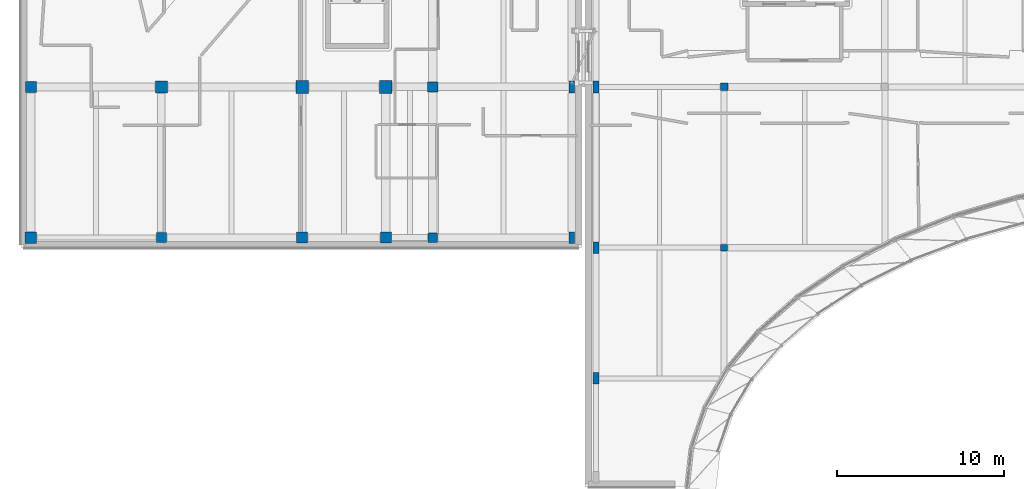
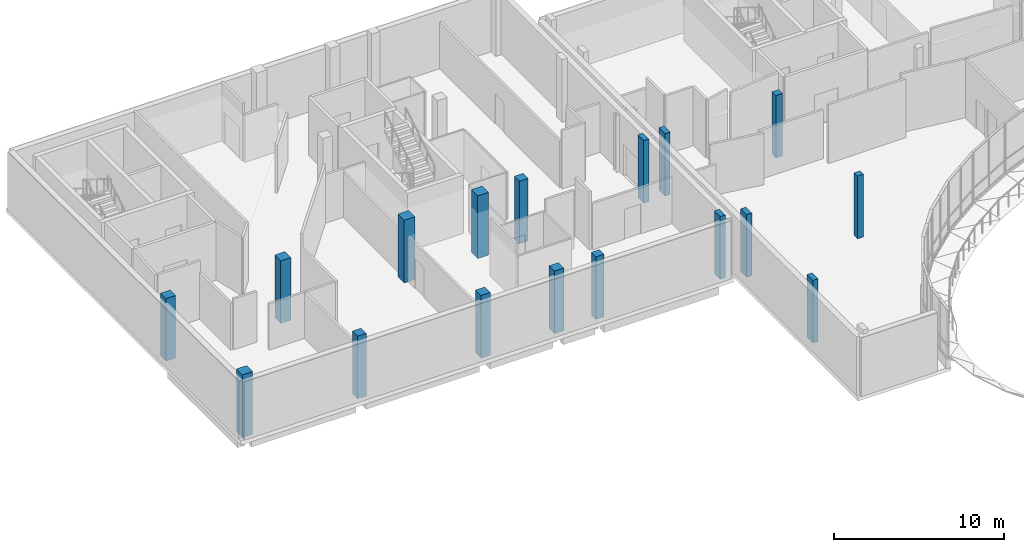
# One storey, part 2 of 41: 17 columns.
"""IFC4 building model written with IfcOpenShell, lengths in metres."""

import ifcopenshell
import ifcopenshell.guid

model = None  # the IFC model being written
_history = None  # IfcOwnerHistory: only IFC2X3 demands one
_inside = {}  # id of a spatial element -> (the spatial element, [elements in it])
_under = {}  # id of a project, library or spatial element -> (it, [spatial elements below it])
_declared = {}  # id of a project -> (the project, [libraries it declares])
_typed = {}  # id of a type object -> (the type object, [elements of that type])
_made_of = {}  # id of a material, layer set ... -> (it, [elements and type objects made of it])


def new_model(schema):
    """Start an empty IFC model of exactly this schema.

    Asked for "IFC4X3", IfcOpenShell would pick the latest addendum, in which some entities
    have other attributes; the version numbers below select the first issue.
    IFC2X3 requires an IfcOwnerHistory on every rooted entity: one is made here for all.
    """
    global model, _history
    if schema == "IFC4X3":
        model = ifcopenshell.file(schema_version=(4, 3, 0, 0))
    else:
        model = ifcopenshell.file(schema=schema)
    _inside.clear()
    _under.clear()
    _declared.clear()
    _typed.clear()
    _made_of.clear()
    _history = None
    if model.schema == "IFC2X3":
        org = make("IfcOrganization", Name="unknown")
        user = make(
            "IfcPersonAndOrganization",
            ThePerson=make("IfcPerson", FamilyName="unknown"),
            TheOrganization=org,
        )
        app = make(
            "IfcApplication",
            ApplicationDeveloper=org,
            Version="unknown",
            ApplicationFullName="unknown",
            ApplicationIdentifier="unknown",
        )
        _history = make(
            "IfcOwnerHistory",
            OwningUser=user,
            OwningApplication=app,
            ChangeAction="ADDED",
            CreationDate=0,
        )
    return model


def make(cls, **values):
    """One entity of the class cls with the attributes given. An attribute that is None is left unset."""
    return model.create_entity(
        cls, **{name: value for name, value in values.items() if value is not None}
    )


def rooted(cls, **values):
    """An entity with a GlobalId (a new one), such as an element, a storey or a relation."""
    return make(cls, GlobalId=ifcopenshell.guid.new(), OwnerHistory=_history, **values)


def si_unit(unit_type, name, prefix=None):
    """IfcSIUnit, for example si_unit("LENGTHUNIT", "METRE", prefix="MILLI")."""
    return make("IfcSIUnit", UnitType=unit_type, Prefix=prefix, Name=name)


def assignment(units):
    """IfcUnitAssignment: the units of a project."""
    return None if units is None else make("IfcUnitAssignment", Units=units)


def point(xyz):
    """IfcCartesianPoint."""
    return None if xyz is None else make("IfcCartesianPoint", Coordinates=xyz)


def direction(xyz):
    """IfcDirection."""
    return None if xyz is None else make("IfcDirection", DirectionRatios=xyz)


def frame(location, z_axis=None, x_axis=None):
    """IfcAxis2Placement3D, a coordinate frame: its origin and axes. An axis left out is left unset."""
    return make(
        "IfcAxis2Placement3D",
        Location=point(location),
        Axis=direction(z_axis),
        RefDirection=direction(x_axis),
    )


def frame_2d(location, x_axis=None):
    """IfcAxis2Placement2D, a coordinate frame in the plane: its origin and x axis."""
    return make(
        "IfcAxis2Placement2D", Location=point(location), RefDirection=direction(x_axis)
    )


def origin():
    """The frame at (0, 0, 0) with its axes left unset."""
    return frame((0.0, 0.0, 0.0))


def origin_2d():
    """The frame at (0, 0) in the plane with its x axis left unset."""
    return frame_2d((0.0, 0.0))


def place(relative_to, where):
    """IfcLocalPlacement: puts the frame where relative to a parent placement (None: the world)."""
    return make(
        "IfcLocalPlacement", PlacementRelTo=relative_to, RelativePlacement=where
    )


def context(
    kind, dimensions, precision=None, world=None, true_north=None, identifier=None
):
    """IfcGeometricRepresentationContext, for example the 3D "Model" context."""
    return make(
        "IfcGeometricRepresentationContext",
        ContextIdentifier=identifier,
        ContextType=kind,
        CoordinateSpaceDimension=dimensions,
        Precision=precision,
        WorldCoordinateSystem=world,
        TrueNorth=true_north,
    )


def subcontext(parent, identifier, kind, view, scale=None):
    """IfcGeometricRepresentationSubContext, for example "Body" below "Model"."""
    return make(
        "IfcGeometricRepresentationSubContext",
        ContextIdentifier=identifier,
        ContextType=kind,
        ParentContext=parent,
        TargetScale=scale,
        TargetView=view,
    )


def project(units=None, contexts=None):
    """IfcProject with its units and contexts."""
    return rooted(
        "IfcProject",
        Name="project",
        RepresentationContexts=contexts,
        UnitsInContext=assignment(units),
    )


def spatial(cls, under=None, at=None, **own):
    """A site, building, storey or space (cls), placed at a placement, below another one or the project."""
    s = rooted(cls, ObjectPlacement=at, **own)
    if under is not None:
        _under.setdefault(under.id(), (under, []))[1].append(s)
    return s


def profile(cls, at=None, kind="AREA", **sizes):
    """A parametric profile (cls). Its sizes go by their IFC names, for example OverallWidth=200.0."""
    return make(cls, ProfileType=kind, Position=at, **sizes)


def rectangle(**sizes):
    """IfcRectangleProfileDef."""
    return profile("IfcRectangleProfileDef", **sizes)


def extrude(swept, where, along, depth):
    """IfcExtrudedAreaSolid: the profile swept, set in the frame where, extruded along a direction by depth."""
    return make(
        "IfcExtrudedAreaSolid",
        SweptArea=swept,
        Position=where,
        ExtrudedDirection=direction(along),
        Depth=depth,
    )


def shape(context_of_items, identifier, shape_type, items):
    """IfcShapeRepresentation: the items that make up one representation, for example the "Body"."""
    return make(
        "IfcShapeRepresentation",
        ContextOfItems=context_of_items,
        RepresentationIdentifier=identifier,
        RepresentationType=shape_type,
        Items=items,
    )


def material(Name=None, Category=None):
    """IfcMaterial."""
    return make("IfcMaterial", Name=Name, Category=Category)


def material_profile(
    of_material, cross_section, Name=None, Category=None, Priority=None
):
    """IfcMaterialProfile: a cross section and its material."""
    return make(
        "IfcMaterialProfile",
        Name=Name,
        Material=of_material,
        Profile=cross_section,
        Priority=Priority,
        Category=Category,
    )


def profile_set(profiles, Name=None, composite=None):
    """IfcMaterialProfileSet."""
    return make(
        "IfcMaterialProfileSet",
        Name=Name,
        MaterialProfiles=profiles,
        CompositeProfile=composite,
    )


def made_of(thing, what):
    """Note that an element or type object is made of a material, layer set ...; save() writes the relation."""
    if what is not None:
        _made_of.setdefault(what.id(), (what, []))[1].append(thing)
    return thing


def type_object(cls, material=None, **own):
    """A type object (cls), such as IfcWallType, which elements share."""
    return made_of(rooted(cls, **own), material)


def element(
    cls,
    number,
    at=None,
    inside=None,
    cuts=None,
    type_object=None,
    material=None,
    context=None,
    identifier="Body",
    shape_type=None,
    held_by="IfcProductDefinitionShape",
    body=None,
    shapes=None,
    **own,
):
    """One element of the class cls, such as IfcWall. Its Tag is "e" and its number.

    at: its placement. inside: the storey or other place that contains it. cuts: it is an
    opening in that element (IfcRelVoidsElement). A single representation is given by context,
    identifier, shape_type and body (its items); several are given by shapes. held_by: the class
    of the entity that holds the representations. save() writes the other relations.
    """
    e = rooted(cls, Tag="e%d" % number, ObjectPlacement=at, **own)
    if body is not None:
        shapes = [shape(context, identifier, shape_type, body)]
    if shapes is not None:
        e.Representation = make(held_by, Representations=shapes)
    if inside is not None:
        _inside.setdefault(inside.id(), (inside, []))[1].append(e)
    if cuts is not None:
        rooted(
            "IfcRelVoidsElement", RelatingBuildingElement=cuts, RelatedOpeningElement=e
        )
    if type_object is not None:
        _typed.setdefault(type_object.id(), (type_object, []))[1].append(e)
    return made_of(e, material)


def aggregate(whole, parts):
    """IfcRelAggregates: a whole, such as a stair, and the parts it consists of."""
    return rooted("IfcRelAggregates", RelatingObject=whole, RelatedObjects=parts)


def save(model, path):
    """Write the relations noted so far, then the file.

    IfcRelAggregates (storeys below a building ...), IfcRelContainedInSpatialStructure (elements
    in a storey), IfcRelDefinesByType, IfcRelAssociatesMaterial and IfcRelDeclares: one each for
    every whole, place, type object, material and project.
    """
    for whole, parts in _under.values():
        aggregate(whole, parts)
    for where, things in _inside.values():
        rooted(
            "IfcRelContainedInSpatialStructure",
            RelatedElements=things,
            RelatingStructure=where,
        )
    for kind, things in _typed.values():
        rooted("IfcRelDefinesByType", RelatedObjects=things, RelatingType=kind)
    for what, things in _made_of.values():
        rooted("IfcRelAssociatesMaterial", RelatedObjects=things, RelatingMaterial=what)
    for by, libraries in _declared.values():
        rooted("IfcRelDeclares", RelatingContext=by, RelatedDefinitions=libraries)
    model.write(path)


model = new_model("IFC4")

# Units and contexts
model_context = context("Model", 3, precision=1e-05, world=origin(), true_north=direction((0.0, 1.0)))
body_context = subcontext(model_context, "Body", "Model", "MODEL_VIEW")
ifc_project = project(units=[si_unit("LENGTHUNIT", "METRE"), si_unit("AREAUNIT", "SQUARE_METRE"), si_unit("VOLUMEUNIT", "CUBIC_METRE"), si_unit("PLANEANGLEUNIT", "RADIAN"), si_unit("MASSUNIT", "GRAM", prefix="KILO")], contexts=[model_context])

# Site, building, storey
site_placement = place(None, origin())
site = spatial("IfcSite", under=ifc_project, at=site_placement, CompositionType="ELEMENT")
building_placement = place(site_placement, origin())
building = spatial("IfcBuilding", under=site, at=building_placement, Name="Mzevani Central Library", CompositionType="ELEMENT")
storey_placement = place(building_placement, frame((0.0, 0.0, 13.800048828125)))
storey = spatial("IfcBuildingStorey", under=building, at=storey_placement, Name="L03", CompositionType="ELEMENT", Elevation=13.800048828125)

# Columns
ifc_material = material(Name="Concrete C40/50", Category="concrete")
ifc_material_profile_1 = material_profile(ifc_material, rectangle(XDim=0.39990234375, YDim=0.39990234375, at=origin_2d()), Name="RC 400x400")
ifc_profile_set_1 = profile_set([ifc_material_profile_1], Name="Concrete C40/50")
column_type_1 = type_object("IfcColumnType", Name="Column RC 400x400", PredefinedType="COLUMN", material=ifc_profile_set_1)
column_1_placement = place(storey_placement, frame((54.39990234375, 90.39990234375, 0.0), z_axis=(0.0, 0.0, 1.0), x_axis=(1.0, 0.0, 0.0)))
element("IfcColumn", 1, at=column_1_placement, inside=storey, type_object=column_type_1, Name="L03 V3 Column C-02 (108)", PredefinedType="COLUMN", context=body_context, shape_type="SweptSolid", body=[
    extrude(rectangle(XDim=0.39990234375, YDim=0.39990234375, at=origin_2d()), origin(), (0.0, 0.0, 1.0), 4.5),
])
ifc_material_profile_2 = material_profile(ifc_material, rectangle(XDim=0.449951171875, YDim=0.449951171875, at=origin_2d()), Name="RC 450x450")
ifc_profile_set_2 = profile_set([ifc_material_profile_2], Name="Concrete C40/50")
column_type_2 = type_object("IfcColumnType", Name="Column RC 450x450", PredefinedType="COLUMN", material=ifc_profile_set_2)
column_2_placement = place(storey_placement, frame((54.39990234375, 100.0, 0.0), z_axis=(0.0, 0.0, 1.0), x_axis=(1.0, 0.0, 0.0)))
element("IfcColumn", 2, at=column_2_placement, inside=storey, type_object=column_type_2, Name="L03 V3 Column C-03 (109)", PredefinedType="COLUMN", context=body_context, shape_type="SweptSolid", body=[
    extrude(rectangle(XDim=0.449951171875, YDim=0.449951171875, at=origin_2d()), origin(), (0.0, 0.0, 1.0), 4.5),
])
ifc_material_profile_3 = material_profile(ifc_material, rectangle(XDim=0.550048828125, YDim=0.550048828125, at=origin_2d()), Name="RC 550x550")
ifc_profile_set_3 = profile_set([ifc_material_profile_3], Name="Concrete C40/50")
column_type_3 = type_object("IfcColumnType", Name="Column RC 550x550", PredefinedType="COLUMN", material=ifc_profile_set_3)
column_3_placement = place(storey_placement, frame((37.0, 91.0, 0.0), z_axis=(0.0, 0.0, 1.0), x_axis=(1.0, 0.0, 0.0)))
element("IfcColumn", 3, at=column_3_placement, inside=storey, type_object=column_type_3, Name="L03 V2 Column C-05 (90)", PredefinedType="COLUMN", context=body_context, shape_type="SweptSolid", body=[
    extrude(rectangle(XDim=0.550048828125, YDim=0.550048828125, at=origin_2d()), origin(), (0.0, 0.0, 1.0), 4.5),
])
ifc_material_profile_4 = material_profile(ifc_material, rectangle(XDim=0.60009765625, YDim=0.60009765625, at=origin_2d()), Name="RC 600x600")
ifc_profile_set_4 = profile_set([ifc_material_profile_4], Name="Concrete C40/50")
column_type_4 = type_object("IfcColumnType", Name="Column RC 600x600", PredefinedType="COLUMN", material=ifc_profile_set_4)
for number, where, z_axis, x_axis, name in (
    (4, (20.800048828125, 91.0, 0.0), (0.0, 0.0, 1.0), (1.0, 0.0, 0.0), "L03 V2 Column C-06 (75)"),
    (5, (37.0, 100.0, 0.0), (0.0, 0.0, 1.0), (1.0, 0.0, 0.0), "L03 V2 Column C-06 (91)"),
):
    element("IfcColumn", number, at=place(storey_placement, frame(where, z_axis=z_axis, x_axis=x_axis)), inside=storey, type_object=column_type_4, Name=name, PredefinedType="COLUMN", context=body_context, shape_type="SweptSolid", body=[
        extrude(rectangle(XDim=0.60009765625, YDim=0.60009765625, at=origin_2d()), origin(), (0.0, 0.0, 1.0), 4.5),
    ])
ifc_material_profile_5 = material_profile(ifc_material, rectangle(XDim=0.64990234375, YDim=0.64990234375, at=origin_2d()), Name="RC 650x650")
ifc_profile_set_5 = profile_set([ifc_material_profile_5], Name="Concrete C40/50")
column_type_5 = type_object("IfcColumnType", Name="Column RC 650x650", PredefinedType="COLUMN", material=ifc_profile_set_5)
for number, where, z_axis, x_axis, name in (
    (6, (13.0, 100.0, 0.0), (0.0, 0.0, 1.0), (1.0, 0.0, 0.0), "L03 V2 Column C-07 (72)"),
    (7, (29.199951171875, 91.0, 0.0), (0.0, 0.0, 1.0), (1.0, 0.0, 0.0), "L03 V2 Column C-07 (79)"),
    (8, (34.199951171875, 91.0, 0.0), (0.0, 0.0, 1.0), (1.0, 0.0, 0.0), "L03 V2 Column C-07 (85)"),
):
    element("IfcColumn", number, at=place(storey_placement, frame(where, z_axis=z_axis, x_axis=x_axis)), inside=storey, type_object=column_type_5, Name=name, PredefinedType="COLUMN", context=body_context, shape_type="SweptSolid", body=[
        extrude(rectangle(XDim=0.64990234375, YDim=0.64990234375, at=origin_2d()), origin(), (0.0, 0.0, 1.0), 4.5),
    ])
ifc_material_profile_6 = material_profile(ifc_material, rectangle(XDim=0.699951171875, YDim=0.699951171875, at=origin_2d()), Name="RC 700x700")
ifc_profile_set_6 = profile_set([ifc_material_profile_6], Name="Concrete C40/50")
column_type_6 = type_object("IfcColumnType", Name="Column RC 700x700", PredefinedType="COLUMN", material=ifc_profile_set_6)
for number, where, z_axis, x_axis, name in (
    (9, (13.0, 91.0, 0.0), (0.0, 0.0, 1.0), (1.0, 0.0, 0.0), "L03 V2 Column C-08 (71)"),
    (10, (20.800048828125, 100.0, 0.0), (0.0, 0.0, 1.0), (1.0, 0.0, 0.0), "L03 V2 Column C-08 (76)"),
):
    element("IfcColumn", number, at=place(storey_placement, frame(where, z_axis=z_axis, x_axis=x_axis)), inside=storey, type_object=column_type_6, Name=name, PredefinedType="COLUMN", context=body_context, shape_type="SweptSolid", body=[
        extrude(rectangle(XDim=0.699951171875, YDim=0.699951171875, at=origin_2d()), origin(), (0.0, 0.0, 1.0), 4.5),
    ])
ifc_material_profile_7 = material_profile(ifc_material, rectangle(XDim=0.75, YDim=0.75, at=origin_2d()), Name="RC 750x750")
ifc_profile_set_7 = profile_set([ifc_material_profile_7], Name="Concrete C40/50")
column_type_7 = type_object("IfcColumnType", Name="Column RC 750x750", PredefinedType="COLUMN", material=ifc_profile_set_7)
for number, where, z_axis, x_axis, name in (
    (11, (29.199951171875, 100.0, 0.0), (0.0, 0.0, 1.0), (1.0, 0.0, 0.0), "L03 V2 Column C-09 (80)"),
    (12, (34.199951171875, 100.0, 0.0), (0.0, 0.0, 1.0), (1.0, 0.0, 0.0), "L03 V2 Column C-09 (86)"),
):
    element("IfcColumn", number, at=place(storey_placement, frame(where, z_axis=z_axis, x_axis=x_axis)), inside=storey, type_object=column_type_7, Name=name, PredefinedType="COLUMN", context=body_context, shape_type="SweptSolid", body=[
        extrude(rectangle(XDim=0.75, YDim=0.75, at=origin_2d()), origin(), (0.0, 0.0, 1.0), 4.5),
    ])
ifc_material_profile_8 = material_profile(ifc_material, rectangle(XDim=0.35009765625, YDim=0.699951171875, at=origin_2d()), Name="RC 350x700")
ifc_profile_set_8 = profile_set([ifc_material_profile_8], Name="Concrete C40/50")
column_type_8 = type_object("IfcColumnType", Name="Joint Twin Column RC 350x700", PredefinedType="COLUMN", material=ifc_profile_set_8)
for number, where, z_axis, x_axis, name in (
    (13, (45.300048828125, 91.0, 0.0), (0.0, 0.0, 1.0), (1.0, 0.0, 0.0), "L03 V2 Column C-18 (96)"),
    (14, (45.300048828125, 100.0, 0.0), (0.0, 0.0, 1.0), (1.0, 0.0, 0.0), "L03 V2 Column C-18 (97)"),
    (15, (46.75, 82.60009765625, 0.0), (0.0, 0.0, 1.0), (1.0, 0.0, 0.0), "L03 V3 Column C-18 (101)"),
    (16, (46.75, 90.39990234375, 0.0), (0.0, 0.0, 1.0), (1.0, 0.0, 0.0), "L03 V3 Column C-18 (102)"),
    (17, (46.75, 100.0, 0.0), (0.0, 0.0, 1.0), (1.0, 0.0, 0.0), "L03 V3 Column C-18 (103)"),
):
    element("IfcColumn", number, at=place(storey_placement, frame(where, z_axis=z_axis, x_axis=x_axis)), inside=storey, type_object=column_type_8, Name=name, PredefinedType="COLUMN", context=body_context, shape_type="SweptSolid", body=[
        extrude(rectangle(XDim=0.35009765625, YDim=0.699951171875, at=origin_2d()), origin(), (0.0, 0.0, 1.0), 4.5),
    ])

save(model, "model.ifc")
